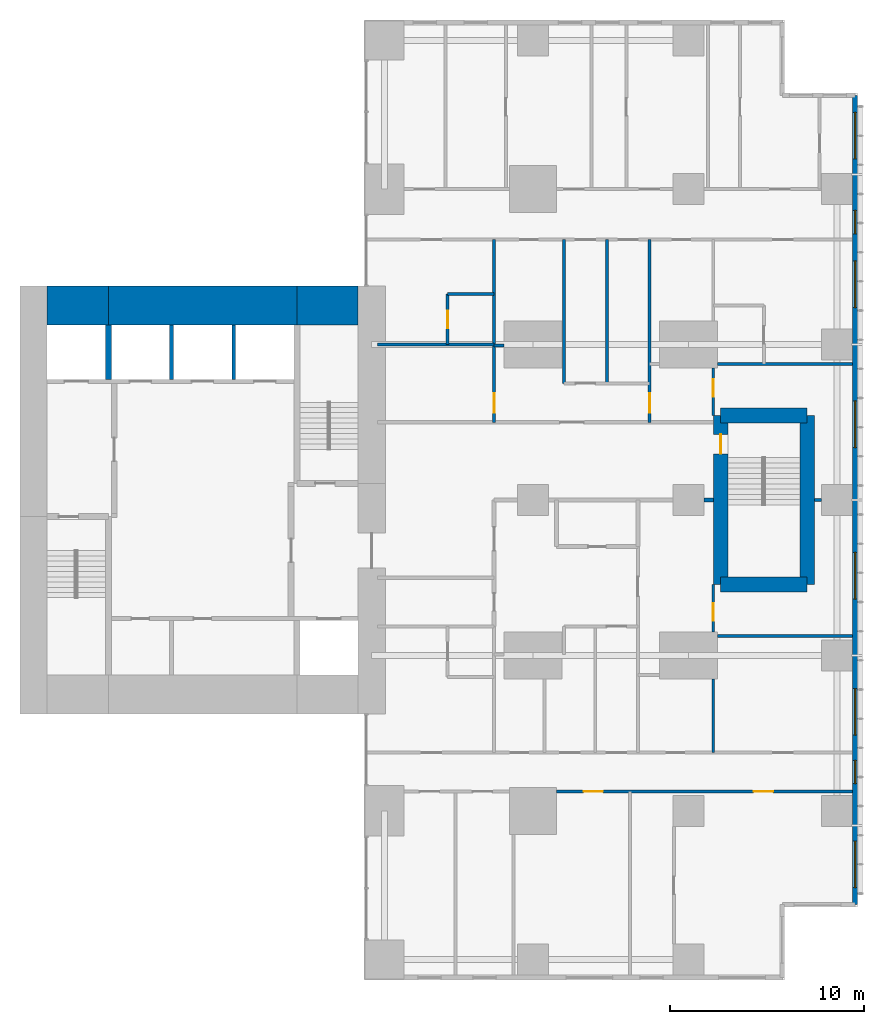
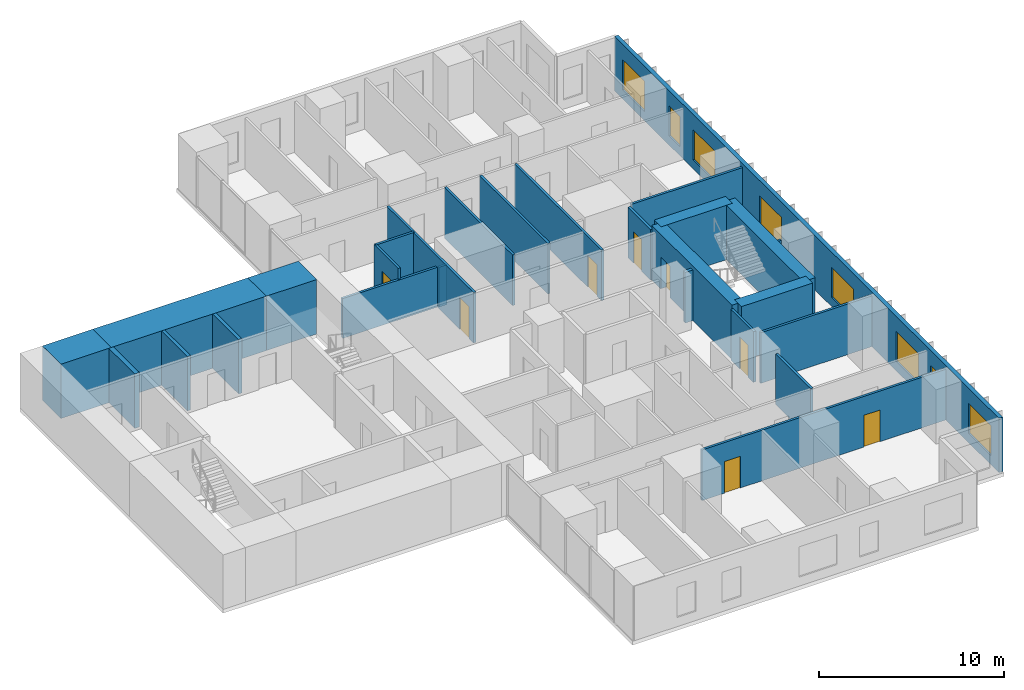
# One storey, part 9 of 12: 27 walls, 8 doors, 8 windows, 16 openings.
"""IFC4 building model written with IfcOpenShell, lengths in metres."""

from ifc_helpers import new_model, si_unit, direction, frame, frame_2d, origin, place, context, subcontext, project, spatial, rectangle, extrude, material, layer, layer_set, type_object, element, fill, save


model = new_model("IFC4")

# Units and contexts
model_context = context("Model", 3, precision=1e-05, world=origin(), true_north=direction((0.0, 1.0)))
body_context = subcontext(model_context, "Body", "Model", "MODEL_VIEW")
ifc_project = project(units=[si_unit("LENGTHUNIT", "METRE"), si_unit("AREAUNIT", "SQUARE_METRE"), si_unit("VOLUMEUNIT", "CUBIC_METRE"), si_unit("PLANEANGLEUNIT", "RADIAN"), si_unit("MASSUNIT", "GRAM", prefix="KILO")], contexts=[model_context])

# Site, building, storey
site_placement = place(None, origin())
site = spatial("IfcSite", under=ifc_project, at=site_placement, CompositionType="ELEMENT")
building_placement = place(site_placement, origin())
building = spatial("IfcBuilding", under=site, at=building_placement, Name="Cleftline Residences", CompositionType="ELEMENT")
storey_placement = place(building_placement, frame((0.0, 0.0, 237.60009765625)))
storey = spatial("IfcBuildingStorey", under=building, at=storey_placement, Name="L62", CompositionType="ELEMENT", Elevation=237.60009765625)

# Walls
ifc_material_1 = material(Name="Concrete B70", Category="concrete")
ifc_layer_1 = layer(ifc_material_1, 2.0)
ifc_layer_set_1 = layer_set([ifc_layer_1], Name="CORE WALL 2000")
wall_type_1 = type_object("IfcWallType", Name="CORE WALL 2000", PredefinedType="SHEAR", material=ifc_layer_set_1)
wall_1_placement = place(storey_placement, frame((25.0, 34.0, 0.0), z_axis=(0.0, 0.0, 1.0), x_axis=(1.0, 0.0, 0.0)))
element("IfcWall", 1, at=wall_1_placement, inside=storey, type_object=wall_type_1, Name="Core wall N1", PredefinedType="SHEAR", context=body_context, shape_type="SweptSolid", body=[
    extrude(rectangle(XDim=3.14990234375, YDim=2.0, at=frame_2d((1.574951171875, 0.0))), origin(), (0.0, 0.0, 1.0), 3.599853515625),
])
wall_2_placement = place(storey_placement, frame((28.14990234375, 34.0, 0.0), z_axis=(0.0, 0.0, 1.0), x_axis=(1.0, 0.0, 0.0)))
element("IfcWall", 2, at=wall_2_placement, inside=storey, type_object=wall_type_1, Name="Core wall N2", PredefinedType="SHEAR", context=body_context, shape_type="SweptSolid", body=[
    extrude(rectangle(XDim=9.7001953125, YDim=2.0, at=frame_2d((4.85009765625, 0.0))), origin(), (0.0, 0.0, 1.0), 3.599853515625),
])
wall_3_placement = place(storey_placement, frame((37.85009765625, 34.0, 0.0), z_axis=(0.0, 0.0, 1.0), x_axis=(1.0, 0.0, 0.0)))
element("IfcWall", 3, at=wall_3_placement, inside=storey, type_object=wall_type_1, Name="Core wall N3", PredefinedType="SHEAR", context=body_context, shape_type="SweptSolid", body=[
    extrude(rectangle(XDim=3.14990234375, YDim=2.0, at=frame_2d((1.574951171875, 0.0))), origin(), (0.0, 0.0, 1.0), 3.599853515625),
])
ifc_material_2 = material(Name="Concrete B70", Category="concrete")
ifc_layer_2 = layer(ifc_material_2, 0.300048828125)
ifc_layer_set_2 = layer_set([ifc_layer_2], Name="CORE WALL 300")
wall_type_2 = type_object("IfcWallType", Name="CORE WALL 300", PredefinedType="SHEAR", material=ifc_layer_set_2)
wall_4_placement = place(storey_placement, frame((28.14990234375, 30.199951171875, 0.0), z_axis=(0.0, 0.0, 1.0), x_axis=(0.0, 1.0, 0.0)))
element("IfcWall", 4, at=wall_4_placement, inside=storey, type_object=wall_type_2, Name="Lift shaft wall", PredefinedType="SHEAR", context=body_context, shape_type="SweptSolid", body=[
    extrude(rectangle(XDim=2.800048828125, YDim=0.300048828125, at=frame_2d((1.39990234375, 0.0))), origin(), (0.0, 0.0, 1.0), 3.599853515625),
])

# Wall, openings, windows
ifc_material_3 = material(Name="Rendered reinforced concrete blockwork", Category="masonry")
ifc_layer_3 = layer(ifc_material_3, 0.25)
ifc_layer_set_3 = layer_set([ifc_layer_3], Name="EXTERNAL WALL 250")
wall_type_3 = type_object("IfcWallType", Name="EXTERNAL WALL 250", PredefinedType="SOLIDWALL", material=ifc_layer_set_3)
wall_5_placement = place(storey_placement, frame((66.574951171875, 3.175048828125, 0.0), z_axis=(0.0, 0.0, 1.0), x_axis=(0.0, 1.0, 0.0)))
wall_5 = element("IfcWall", 5, at=wall_5_placement, inside=storey, type_object=wall_type_3, Name="External wall", PredefinedType="SOLIDWALL", context=body_context, shape_type="SweptSolid", body=[
    extrude(rectangle(XDim=41.64990234375, YDim=0.25, at=frame_2d((20.824951171875, 0.0))), origin(), (0.0, 0.0, 1.0), 3.599853515625),
])
opening_1_placement = place(wall_5_placement, frame((0.875, 0.0, 0.60009765625)))
opening_1 = element("IfcOpeningElement", 6, at=opening_1_placement, cuts=wall_5, Name="Opening W6", PredefinedType="OPENING", context=body_context, shape_type="SweptSolid", body=[
    extrude(rectangle(XDim=2.39990234375, YDim=2.0, at=frame_2d((1.199951171875, 1.0))), frame((0.0, 0.135009765625, 0.0), z_axis=(0.0, -1.0, 0.0), x_axis=(1.0, 0.0, 0.0)), (0.0, 0.0, 1.0), 0.27001953125),
])
opening_2_placement = place(wall_5_placement, frame((6.22509765625, 0.0, 0.60009765625)))
opening_2 = element("IfcOpeningElement", 7, at=opening_2_placement, cuts=wall_5, Name="Opening W8", PredefinedType="OPENING", context=body_context, shape_type="SweptSolid", body=[
    extrude(rectangle(XDim=1.199951171875, YDim=2.0, at=frame_2d((0.60009765625, 1.0))), frame((0.0, 0.135009765625, 0.0), z_axis=(0.0, -1.0, 0.0), x_axis=(1.0, 0.0, 0.0)), (0.0, 0.0, 1.0), 0.27001953125),
])
opening_3_placement = place(wall_5_placement, frame((8.72509765625, 0.0, 0.60009765625)))
opening_3 = element("IfcOpeningElement", 8, at=opening_3_placement, cuts=wall_5, Name="Opening W6", PredefinedType="OPENING", context=body_context, shape_type="SweptSolid", body=[
    extrude(rectangle(XDim=2.39990234375, YDim=2.0, at=frame_2d((1.199951171875, 1.0))), frame((0.0, 0.135009765625, 0.0), z_axis=(0.0, -1.0, 0.0), x_axis=(1.0, 0.0, 0.0)), (0.0, 0.0, 1.0), 0.27001953125),
])
opening_4_placement = place(wall_5_placement, frame((15.72509765625, 0.0, 0.60009765625)))
opening_4 = element("IfcOpeningElement", 9, at=opening_4_placement, cuts=wall_5, Name="Opening W6", PredefinedType="OPENING", context=body_context, shape_type="SweptSolid", body=[
    extrude(rectangle(XDim=2.39990234375, YDim=2.0, at=frame_2d((1.199951171875, 1.0))), frame((0.0, 0.135009765625, 0.0), z_axis=(0.0, -1.0, 0.0), x_axis=(1.0, 0.0, 0.0)), (0.0, 0.0, 1.0), 0.27001953125),
])
opening_5_placement = place(wall_5_placement, frame((23.52490234375, 0.0, 0.60009765625)))
opening_5 = element("IfcOpeningElement", 10, at=opening_5_placement, cuts=wall_5, Name="Opening W6", PredefinedType="OPENING", context=body_context, shape_type="SweptSolid", body=[
    extrude(rectangle(XDim=2.39990234375, YDim=2.0, at=frame_2d((1.199951171875, 1.0))), frame((0.0, 0.135009765625, 0.0), z_axis=(0.0, -1.0, 0.0), x_axis=(1.0, 0.0, 0.0)), (0.0, 0.0, 1.0), 0.27001953125),
])
opening_6_placement = place(wall_5_placement, frame((30.72509765625, 0.0, 0.60009765625)))
opening_6 = element("IfcOpeningElement", 11, at=opening_6_placement, cuts=wall_5, Name="Opening W6", PredefinedType="OPENING", context=body_context, shape_type="SweptSolid", body=[
    extrude(rectangle(XDim=2.39990234375, YDim=2.0, at=frame_2d((1.199951171875, 1.0))), frame((0.0, 0.135009765625, 0.0), z_axis=(0.0, -1.0, 0.0), x_axis=(1.0, 0.0, 0.0)), (0.0, 0.0, 1.0), 0.27001953125),
])
opening_7_placement = place(wall_5_placement, frame((34.52490234375, 0.0, 0.60009765625)))
opening_7 = element("IfcOpeningElement", 12, at=opening_7_placement, cuts=wall_5, Name="Opening W8", PredefinedType="OPENING", context=body_context, shape_type="SweptSolid", body=[
    extrude(rectangle(XDim=1.199951171875, YDim=2.0, at=frame_2d((0.60009765625, 1.0))), frame((0.0, 0.135009765625, 0.0), z_axis=(0.0, -1.0, 0.0), x_axis=(1.0, 0.0, 0.0)), (0.0, 0.0, 1.0), 0.27001953125),
])
opening_8_placement = place(wall_5_placement, frame((38.375, 0.0, 0.60009765625)))
opening_8 = element("IfcOpeningElement", 13, at=opening_8_placement, cuts=wall_5, Name="Opening W6", PredefinedType="OPENING", context=body_context, shape_type="SweptSolid", body=[
    extrude(rectangle(XDim=2.39990234375, YDim=2.0, at=frame_2d((1.199951171875, 1.0))), frame((0.0, 0.135009765625, 0.0), z_axis=(0.0, -1.0, 0.0), x_axis=(1.0, 0.0, 0.0)), (0.0, 0.0, 1.0), 0.27001953125),
])
ifc_material_4 = material(Name="Aluminium frame, clear double glazing", Category="aluminium")
window_type_1 = type_object("IfcWindowType", Name="WINDOW 1200X2000", PartitioningType="DOUBLE_PANEL_VERTICAL", PredefinedType="WINDOW", material=ifc_material_4)
window_1_placement = place(opening_2_placement, origin())
window_1 = element("IfcWindow", 14, at=window_1_placement, inside=storey, type_object=window_type_1, Name="Window", OverallHeight=2.0, OverallWidth=1.199951171875, PartitioningType="SINGLE_PANEL", PredefinedType="WINDOW", context=body_context, shape_type="SweptSolid", body=[
    extrude(rectangle(XDim=1.199951171875, YDim=2.0, at=frame_2d((0.60009765625, 1.0))), frame((0.0, 0.030029296875, 0.0), z_axis=(0.0, -1.0, 0.0), x_axis=(1.0, 0.0, 0.0)), (0.0, 0.0, 1.0), 0.06005859375),
])
fill(opening_2, window_1)
window_2_placement = place(opening_7_placement, origin())
window_2 = element("IfcWindow", 15, at=window_2_placement, inside=storey, type_object=window_type_1, Name="Window", OverallHeight=2.0, OverallWidth=1.199951171875, PartitioningType="SINGLE_PANEL", PredefinedType="WINDOW", context=body_context, shape_type="SweptSolid", body=[
    extrude(rectangle(XDim=1.199951171875, YDim=2.0, at=frame_2d((0.60009765625, 1.0))), frame((0.0, 0.030029296875, 0.0), z_axis=(0.0, -1.0, 0.0), x_axis=(1.0, 0.0, 0.0)), (0.0, 0.0, 1.0), 0.06005859375),
])
fill(opening_7, window_2)
ifc_material_5 = material(Name="Aluminium frame, clear double glazing", Category="aluminium")
window_type_2 = type_object("IfcWindowType", Name="WINDOW 2400X2000", PartitioningType="DOUBLE_PANEL_VERTICAL", PredefinedType="WINDOW", material=ifc_material_5)
window_3_placement = place(opening_1_placement, origin())
window_3 = element("IfcWindow", 16, at=window_3_placement, inside=storey, type_object=window_type_2, Name="Window", OverallHeight=2.0, OverallWidth=2.39990234375, PartitioningType="SINGLE_PANEL", PredefinedType="WINDOW", context=body_context, shape_type="SweptSolid", body=[
    extrude(rectangle(XDim=2.39990234375, YDim=2.0, at=frame_2d((1.199951171875, 1.0))), frame((0.0, 0.030029296875, 0.0), z_axis=(0.0, -1.0, 0.0), x_axis=(1.0, 0.0, 0.0)), (0.0, 0.0, 1.0), 0.06005859375),
])
fill(opening_1, window_3)
window_4_placement = place(opening_3_placement, origin())
window_4 = element("IfcWindow", 17, at=window_4_placement, inside=storey, type_object=window_type_2, Name="Window", OverallHeight=2.0, OverallWidth=2.39990234375, PartitioningType="SINGLE_PANEL", PredefinedType="WINDOW", context=body_context, shape_type="SweptSolid", body=[
    extrude(rectangle(XDim=2.39990234375, YDim=2.0, at=frame_2d((1.199951171875, 1.0))), frame((0.0, 0.030029296875, 0.0), z_axis=(0.0, -1.0, 0.0), x_axis=(1.0, 0.0, 0.0)), (0.0, 0.0, 1.0), 0.06005859375),
])
fill(opening_3, window_4)
window_5_placement = place(opening_4_placement, origin())
window_5 = element("IfcWindow", 18, at=window_5_placement, inside=storey, type_object=window_type_2, Name="Window", OverallHeight=2.0, OverallWidth=2.39990234375, PartitioningType="SINGLE_PANEL", PredefinedType="WINDOW", context=body_context, shape_type="SweptSolid", body=[
    extrude(rectangle(XDim=2.39990234375, YDim=2.0, at=frame_2d((1.199951171875, 1.0))), frame((0.0, 0.030029296875, 0.0), z_axis=(0.0, -1.0, 0.0), x_axis=(1.0, 0.0, 0.0)), (0.0, 0.0, 1.0), 0.06005859375),
])
fill(opening_4, window_5)
window_6_placement = place(opening_5_placement, origin())
window_6 = element("IfcWindow", 19, at=window_6_placement, inside=storey, type_object=window_type_2, Name="Window", OverallHeight=2.0, OverallWidth=2.39990234375, PartitioningType="SINGLE_PANEL", PredefinedType="WINDOW", context=body_context, shape_type="SweptSolid", body=[
    extrude(rectangle(XDim=2.39990234375, YDim=2.0, at=frame_2d((1.199951171875, 1.0))), frame((0.0, 0.030029296875, 0.0), z_axis=(0.0, -1.0, 0.0), x_axis=(1.0, 0.0, 0.0)), (0.0, 0.0, 1.0), 0.06005859375),
])
fill(opening_5, window_6)
window_7_placement = place(opening_6_placement, origin())
window_7 = element("IfcWindow", 20, at=window_7_placement, inside=storey, type_object=window_type_2, Name="Window", OverallHeight=2.0, OverallWidth=2.39990234375, PartitioningType="SINGLE_PANEL", PredefinedType="WINDOW", context=body_context, shape_type="SweptSolid", body=[
    extrude(rectangle(XDim=2.39990234375, YDim=2.0, at=frame_2d((1.199951171875, 1.0))), frame((0.0, 0.030029296875, 0.0), z_axis=(0.0, -1.0, 0.0), x_axis=(1.0, 0.0, 0.0)), (0.0, 0.0, 1.0), 0.06005859375),
])
fill(opening_6, window_7)
window_8_placement = place(opening_8_placement, origin())
window_8 = element("IfcWindow", 21, at=window_8_placement, inside=storey, type_object=window_type_2, Name="Window", OverallHeight=2.0, OverallWidth=2.39990234375, PartitioningType="SINGLE_PANEL", PredefinedType="WINDOW", context=body_context, shape_type="SweptSolid", body=[
    extrude(rectangle(XDim=2.39990234375, YDim=2.0, at=frame_2d((1.199951171875, 1.0))), frame((0.0, 0.030029296875, 0.0), z_axis=(0.0, -1.0, 0.0), x_axis=(1.0, 0.0, 0.0)), (0.0, 0.0, 1.0), 0.06005859375),
])
fill(opening_8, window_8)

# Wall
ifc_material_6 = material(Name="Concrete blockwork, fire rated", Category="masonry")
ifc_layer_4 = layer(ifc_material_6, 0.199951171875)
ifc_layer_set_4 = layer_set([ifc_layer_4], Name="FIRE WALL 200")
wall_type_4 = type_object("IfcWallType", Name="FIRE WALL 200", PredefinedType="PARTITIONING", material=ifc_layer_set_4)
wall_6_placement = place(storey_placement, frame((58.800048828125, 24.0, 0.0), z_axis=(0.0, 0.0, 1.0), x_axis=(1.0, 0.0, 0.0)))
element("IfcWall", 22, at=wall_6_placement, inside=storey, type_object=wall_type_4, Name="Fire separating wall", PredefinedType="PARTITIONING", context=body_context, shape_type="SweptSolid", body=[
    extrude(rectangle(XDim=0.474853515625, YDim=0.199951171875, at=frame_2d((0.2373046875, 0.0))), origin(), (0.0, 0.0, 1.0), 3.349853515625),
])

# Wall, openings, doors
ifc_material_7 = material(Name="Gypsum board on steel studs", Category="steel")
ifc_layer_5 = layer(ifc_material_7, 0.14990234375)
ifc_layer_set_5 = layer_set([ifc_layer_5], Name="PARTITION 150")
wall_type_5 = type_object("IfcWallType", Name="PARTITION 150", PredefinedType="PARTITIONING", material=ifc_layer_set_5)
wall_7_placement = place(storey_placement, frame((51.199951171875, 9.0, 0.0), z_axis=(0.0, 0.0, 1.0), x_axis=(1.0, 0.0, 0.0)))
wall_7 = element("IfcWall", 23, at=wall_7_placement, inside=storey, type_object=wall_type_5, Name="Partition", PredefinedType="PARTITIONING", context=body_context, shape_type="SweptSolid", body=[
    extrude(rectangle(XDim=15.25, YDim=0.14990234375, at=frame_2d((7.625, 0.0))), origin(), (0.0, 0.0, 1.0), 3.349853515625),
])
opening_9_placement = place(wall_7_placement, frame((10.14990234375, 0.0, 0.0)))
opening_9 = element("IfcOpeningElement", 24, at=opening_9_placement, cuts=wall_7, Name="Opening D2", PredefinedType="OPENING", context=body_context, shape_type="SweptSolid", body=[
    extrude(rectangle(XDim=1.0, YDim=2.10009765625, at=frame_2d((0.5, 1.050048828125))), frame((0.0, 0.0849609375, 0.0), z_axis=(0.0, -1.0, 0.0), x_axis=(1.0, 0.0, 0.0)), (0.0, 0.0, 1.0), 0.169921875),
])
opening_10_placement = place(wall_7_placement, frame((1.39990234375, 0.0, 0.0)))
opening_10 = element("IfcOpeningElement", 25, at=opening_10_placement, cuts=wall_7, Name="Opening D2", PredefinedType="OPENING", context=body_context, shape_type="SweptSolid", body=[
    extrude(rectangle(XDim=1.0, YDim=2.10009765625, at=frame_2d((0.5, 1.050048828125))), frame((0.0, 0.0849609375, 0.0), z_axis=(0.0, -1.0, 0.0), x_axis=(1.0, 0.0, 0.0)), (0.0, 0.0, 1.0), 0.169921875),
])
ifc_material_8 = material(Name="Timber veneer on solid core", Category="wood")
door_type_1 = type_object("IfcDoorType", Name="DOOR 1000X2100", OperationType="SINGLE_SWING_LEFT", PredefinedType="DOOR", material=ifc_material_8)
door_1_placement = place(opening_9_placement, origin())
door_1 = element("IfcDoor", 26, at=door_1_placement, inside=storey, type_object=door_type_1, Name="Door to sea-view living room", OperationType="SINGLE_SWING_LEFT", OverallHeight=2.10009765625, OverallWidth=1.0, PredefinedType="DOOR", context=body_context, shape_type="SweptSolid", body=[
    extrude(rectangle(XDim=1.0, YDim=2.10009765625, at=frame_2d((0.5, 1.050048828125))), frame((0.0, 0.02490234375, 0.0), z_axis=(0.0, -1.0, 0.0), x_axis=(1.0, 0.0, 0.0)), (0.0, 0.0, 1.0), 0.050048828125),
])
fill(opening_9, door_1)
door_2_placement = place(opening_10_placement, origin())
door_2 = element("IfcDoor", 27, at=door_2_placement, inside=storey, type_object=door_type_1, Name="Door to dining room", OperationType="SINGLE_SWING_RIGHT", OverallHeight=2.10009765625, OverallWidth=1.0, PredefinedType="DOOR", context=body_context, shape_type="SweptSolid", body=[
    extrude(rectangle(XDim=1.0, YDim=2.10009765625, at=frame_2d((0.5, 1.050048828125))), frame((0.0, 0.02490234375, 0.0), z_axis=(0.0, -1.0, 0.0), x_axis=(1.0, 0.0, 0.0)), (0.0, 0.0, 1.0), 0.050048828125),
])
fill(opening_10, door_2)

# Walls
wall_8_placement = place(storey_placement, frame((59.5, 17.0, 0.0), z_axis=(0.0, 0.0, 1.0), x_axis=(1.0, 0.0, 0.0)))
element("IfcWall", 28, at=wall_8_placement, inside=storey, type_object=wall_type_5, Name="Partition", PredefinedType="PARTITIONING", context=body_context, shape_type="SweptSolid", body=[
    extrude(rectangle(XDim=6.949951171875, YDim=0.14990234375, at=frame_2d((3.47509765625, 0.0))), origin(), (0.0, 0.0, 1.0), 3.349853515625),
])
wall_9_placement = place(storey_placement, frame((64.47509765625, 24.0, 0.0), z_axis=(0.0, 0.0, 1.0), x_axis=(1.0, 0.0, 0.0)))
element("IfcWall", 29, at=wall_9_placement, inside=storey, type_object=wall_type_5, Name="Partition", PredefinedType="PARTITIONING", context=body_context, shape_type="SweptSolid", body=[
    extrude(rectangle(XDim=0.375, YDim=0.14990234375, at=frame_2d((0.1875, 0.0))), origin(), (0.0, 0.0, 1.0), 3.349853515625),
])
wall_10_placement = place(storey_placement, frame((59.5, 31.0, 0.0), z_axis=(0.0, 0.0, 1.0), x_axis=(1.0, 0.0, 0.0)))
element("IfcWall", 30, at=wall_10_placement, inside=storey, type_object=wall_type_5, Name="Partition", PredefinedType="PARTITIONING", context=body_context, shape_type="SweptSolid", body=[
    extrude(rectangle(XDim=6.949951171875, YDim=0.14990234375, at=frame_2d((3.47509765625, 0.0))), origin(), (0.0, 0.0, 1.0), 3.349853515625),
])
wall_11_placement = place(storey_placement, frame((48.0, 31.949951171875, 0.0), z_axis=(0.0, 0.0, 1.0), x_axis=(1.0, 0.0, 0.0)))
element("IfcWall", 31, at=wall_11_placement, inside=storey, type_object=wall_type_5, Name="Partition", PredefinedType="PARTITIONING", context=body_context, shape_type="SweptSolid", body=[
    extrude(rectangle(XDim=0.5, YDim=0.14990234375, at=frame_2d((0.25, 0.0))), origin(), (0.0, 0.0, 1.0), 2.6337890625),
])
wall_12_placement = place(storey_placement, frame((42.0, 32.0, 0.0), z_axis=(0.0, 0.0, 1.0), x_axis=(1.0, 0.0, 0.0)))
element("IfcWall", 32, at=wall_12_placement, inside=storey, type_object=wall_type_5, Name="Partition", PredefinedType="PARTITIONING", context=body_context, shape_type="SweptSolid", body=[
    extrude(rectangle(XDim=6.0, YDim=0.14990234375, at=frame_2d((3.0, 0.0))), origin(), (0.0, 0.0, 1.0), 2.6337890625),
])
wall_13_placement = place(storey_placement, frame((45.60009765625, 34.60009765625, 0.0), z_axis=(0.0, 0.0, 1.0), x_axis=(1.0, 0.0, 0.0)))
element("IfcWall", 33, at=wall_13_placement, inside=storey, type_object=wall_type_5, Name="Partition", PredefinedType="PARTITIONING", context=body_context, shape_type="SweptSolid", body=[
    extrude(rectangle(XDim=2.39990234375, YDim=0.14990234375, at=frame_2d((1.199951171875, 0.0))), origin(), (0.0, 0.0, 1.0), 3.349853515625),
])

# Wall, opening, door
wall_14_placement = place(storey_placement, frame((45.60009765625, 32.0, 0.0), z_axis=(0.0, 0.0, 1.0), x_axis=(0.0, 1.0, 0.0)))
wall_14 = element("IfcWall", 34, at=wall_14_placement, inside=storey, type_object=wall_type_5, Name="Partition", PredefinedType="PARTITIONING", context=body_context, shape_type="SweptSolid", body=[
    extrude(rectangle(XDim=2.60009765625, YDim=0.14990234375, at=frame_2d((1.300048828125, 0.0))), origin(), (0.0, 0.0, 1.0), 3.349853515625),
])
opening_11_placement = place(wall_14_placement, frame((0.85009765625, 0.0, 0.0)))
opening_11 = element("IfcOpeningElement", 35, at=opening_11_placement, cuts=wall_14, Name="Opening D1", PredefinedType="OPENING", context=body_context, shape_type="SweptSolid", body=[
    extrude(rectangle(XDim=0.89990234375, YDim=2.10009765625, at=frame_2d((0.449951171875, 1.050048828125))), frame((0.0, 0.0849609375, 0.0), z_axis=(0.0, -1.0, 0.0), x_axis=(1.0, 0.0, 0.0)), (0.0, 0.0, 1.0), 0.169921875),
])
ifc_material_9 = material(Name="Timber veneer on solid core", Category="wood")
door_type_2 = type_object("IfcDoorType", Name="DOOR 900X2100", OperationType="SINGLE_SWING_LEFT", PredefinedType="DOOR", material=ifc_material_9)
door_3_placement = place(opening_11_placement, origin())
door_3 = element("IfcDoor", 36, at=door_3_placement, inside=storey, type_object=door_type_2, Name="Door to en-suite bathroom 5", OperationType="SINGLE_SWING_LEFT", OverallHeight=2.10009765625, OverallWidth=0.89990234375, PredefinedType="DOOR", context=body_context, shape_type="SweptSolid", body=[
    extrude(rectangle(XDim=0.89990234375, YDim=2.10009765625, at=frame_2d((0.449951171875, 1.050048828125))), frame((0.0, 0.02490234375, 0.0), z_axis=(0.0, -1.0, 0.0), x_axis=(1.0, 0.0, 0.0)), (0.0, 0.0, 1.0), 0.050048828125),
])
fill(opening_11, door_3)

wall_15_placement = place(storey_placement, frame((48.0, 28.0, 0.0), z_axis=(0.0, 0.0, 1.0), x_axis=(0.0, 1.0, 0.0)))
wall_15 = element("IfcWall", 37, at=wall_15_placement, inside=storey, type_object=wall_type_5, Name="Partition", PredefinedType="PARTITIONING", context=body_context, shape_type="SweptSolid", body=[
    extrude(rectangle(XDim=9.39990234375, YDim=0.14990234375, at=frame_2d((4.699951171875, 0.0))), origin(), (0.0, 0.0, 1.0), 3.349853515625),
])
opening_12_placement = place(wall_15_placement, frame((0.5, 0.0, 0.0)))
opening_12 = element("IfcOpeningElement", 38, at=opening_12_placement, cuts=wall_15, Name="Opening D2", PredefinedType="OPENING", context=body_context, shape_type="SweptSolid", body=[
    extrude(rectangle(XDim=1.0, YDim=2.10009765625, at=frame_2d((0.5, 1.050048828125))), frame((0.0, 0.0849609375, 0.0), z_axis=(0.0, -1.0, 0.0), x_axis=(1.0, 0.0, 0.0)), (0.0, 0.0, 1.0), 0.169921875),
])
door_4_placement = place(opening_12_placement, origin())
door_4 = element("IfcDoor", 39, at=door_4_placement, inside=storey, type_object=door_type_1, Name="Door to morning kitchen", OperationType="SINGLE_SWING_RIGHT", OverallHeight=2.10009765625, OverallWidth=1.0, PredefinedType="DOOR", context=body_context, shape_type="SweptSolid", body=[
    extrude(rectangle(XDim=1.0, YDim=2.10009765625, at=frame_2d((0.5, 1.050048828125))), frame((0.0, 0.02490234375, 0.0), z_axis=(0.0, -1.0, 0.0), x_axis=(1.0, 0.0, 0.0)), (0.0, 0.0, 1.0), 0.050048828125),
])
fill(opening_12, door_4)

# Walls
for number, where, z_axis, x_axis, name in (
    (40, (51.60009765625, 30.0, 0.0), (0.0, 0.0, 1.0), (0.0, 1.0, 0.0), "Partition"),
    (41, (53.800048828125, 30.0, 0.0), (0.0, 0.0, 1.0), (0.0, 1.0, 0.0), "Partition"),
):
    element("IfcWall", number, at=place(storey_placement, frame(where, z_axis=z_axis, x_axis=x_axis)), inside=storey, type_object=wall_type_5, Name=name, PredefinedType="PARTITIONING", context=body_context, shape_type="SweptSolid", body=[
        extrude(rectangle(XDim=7.39990234375, YDim=0.14990234375, at=frame_2d((3.699951171875, 0.0))), origin(), (0.0, 0.0, 1.0), 3.349853515625),
    ])

# Wall, opening, door
wall_16_placement = place(storey_placement, frame((56.0, 28.0, 0.0), z_axis=(0.0, 0.0, 1.0), x_axis=(0.0, 1.0, 0.0)))
wall_16 = element("IfcWall", 42, at=wall_16_placement, inside=storey, type_object=wall_type_5, Name="Partition", PredefinedType="PARTITIONING", context=body_context, shape_type="SweptSolid", body=[
    extrude(rectangle(XDim=9.39990234375, YDim=0.14990234375, at=frame_2d((4.699951171875, 0.0))), origin(), (0.0, 0.0, 1.0), 3.349853515625),
])
opening_13_placement = place(wall_16_placement, frame((0.5, 0.0, 0.0)))
opening_13 = element("IfcOpeningElement", 43, at=opening_13_placement, cuts=wall_16, Name="Opening D2F30", PredefinedType="OPENING", context=body_context, shape_type="SweptSolid", body=[
    extrude(rectangle(XDim=1.0, YDim=2.10009765625, at=frame_2d((0.5, 1.050048828125))), frame((0.0, 0.0849609375, 0.0), z_axis=(0.0, -1.0, 0.0), x_axis=(1.0, 0.0, 0.0)), (0.0, 0.0, 1.0), 0.169921875),
])
ifc_material_10 = material(Name="Timber veneer on solid core", Category="wood")
door_type_3 = type_object("IfcDoorType", Name="DOOR 1000X2100 EI 30", OperationType="SINGLE_SWING_LEFT", PredefinedType="DOOR", material=ifc_material_10)
door_5_placement = place(opening_13_placement, origin())
door_5 = element("IfcDoor", 44, at=door_5_placement, inside=storey, type_object=door_type_3, Name="Door to residence lobby (service)", OperationType="SINGLE_SWING_RIGHT", OverallHeight=2.10009765625, OverallWidth=1.0, PredefinedType="DOOR", context=body_context, shape_type="SweptSolid", body=[
    extrude(rectangle(XDim=1.0, YDim=2.10009765625, at=frame_2d((0.5, 1.050048828125))), frame((0.0, 0.02490234375, 0.0), z_axis=(0.0, -1.0, 0.0), x_axis=(1.0, 0.0, 0.0)), (0.0, 0.0, 1.0), 0.050048828125),
])
fill(opening_13, door_5)

# Wall
wall_17_placement = place(storey_placement, frame((59.27490234375, 11.0, 0.0), z_axis=(0.0, 0.0, 1.0), x_axis=(0.0, 1.0, 0.0)))
element("IfcWall", 45, at=wall_17_placement, inside=storey, type_object=wall_type_5, Name="Partition", PredefinedType="PARTITIONING", context=body_context, shape_type="SweptSolid", body=[
    extrude(rectangle(XDim=3.800048828125, YDim=0.14990234375, at=frame_2d((1.89990234375, 0.0))), origin(), (0.0, 0.0, 1.0), 3.349853515625),
])

# Wall, opening, door
wall_18_placement = place(storey_placement, frame((59.27490234375, 17.199951171875, 0.0), z_axis=(0.0, 0.0, 1.0), x_axis=(0.0, 1.0, 0.0)))
wall_18 = element("IfcWall", 46, at=wall_18_placement, inside=storey, type_object=wall_type_5, Name="Partition", PredefinedType="PARTITIONING", context=body_context, shape_type="SweptSolid", body=[
    extrude(rectangle(XDim=2.449951171875, YDim=0.14990234375, at=frame_2d((1.22509765625, 0.0))), origin(), (0.0, 0.0, 1.0), 3.349853515625),
])
opening_14_placement = place(wall_18_placement, frame((0.58740234375, 0.0, 0.0)))
opening_14 = element("IfcOpeningElement", 47, at=opening_14_placement, cuts=wall_18, Name="Opening D1", PredefinedType="OPENING", context=body_context, shape_type="SweptSolid", body=[
    extrude(rectangle(XDim=0.89990234375, YDim=2.10009765625, at=frame_2d((0.449951171875, 1.050048828125))), frame((0.0, 0.0849609375, 0.0), z_axis=(0.0, -1.0, 0.0), x_axis=(1.0, 0.0, 0.0)), (0.0, 0.0, 1.0), 0.169921875),
])
door_6_placement = place(opening_14_placement, origin())
door_6 = element("IfcDoor", 48, at=door_6_placement, inside=storey, type_object=door_type_2, Name="Door to drying loggia", OperationType="SINGLE_SWING_RIGHT", OverallHeight=2.10009765625, OverallWidth=0.89990234375, PredefinedType="DOOR", context=body_context, shape_type="SweptSolid", body=[
    extrude(rectangle(XDim=0.89990234375, YDim=2.10009765625, at=frame_2d((0.449951171875, 1.050048828125))), frame((0.0, 0.02490234375, 0.0), z_axis=(0.0, -1.0, 0.0), x_axis=(1.0, 0.0, 0.0)), (0.0, 0.0, 1.0), 0.050048828125),
])
fill(opening_14, door_6)

wall_19_placement = place(storey_placement, frame((59.27490234375, 28.35009765625, 0.0), z_axis=(0.0, 0.0, 1.0), x_axis=(0.0, 1.0, 0.0)))
wall_19 = element("IfcWall", 49, at=wall_19_placement, inside=storey, type_object=wall_type_5, Name="Partition", PredefinedType="PARTITIONING", context=body_context, shape_type="SweptSolid", body=[
    extrude(rectangle(XDim=2.449951171875, YDim=0.14990234375, at=frame_2d((1.22509765625, 0.0))), origin(), (0.0, 0.0, 1.0), 3.349853515625),
])
opening_15_placement = place(wall_19_placement, frame((0.96240234375, 0.0, 0.0)))
opening_15 = element("IfcOpeningElement", 50, at=opening_15_placement, cuts=wall_19, Name="Opening D1", PredefinedType="OPENING", context=body_context, shape_type="SweptSolid", body=[
    extrude(rectangle(XDim=0.89990234375, YDim=2.10009765625, at=frame_2d((0.449951171875, 1.050048828125))), frame((0.0, 0.0849609375, 0.0), z_axis=(0.0, -1.0, 0.0), x_axis=(1.0, 0.0, 0.0)), (0.0, 0.0, 1.0), 0.169921875),
])
door_7_placement = place(opening_15_placement, origin())
door_7 = element("IfcDoor", 51, at=door_7_placement, inside=storey, type_object=door_type_2, Name="Door to master dressing room", OperationType="SINGLE_SWING_LEFT", OverallHeight=2.10009765625, OverallWidth=0.89990234375, PredefinedType="DOOR", context=body_context, shape_type="SweptSolid", body=[
    extrude(rectangle(XDim=0.89990234375, YDim=2.10009765625, at=frame_2d((0.449951171875, 1.050048828125))), frame((0.0, 0.02490234375, 0.0), z_axis=(0.0, -1.0, 0.0), x_axis=(1.0, 0.0, 0.0)), (0.0, 0.0, 1.0), 0.050048828125),
])
fill(opening_15, door_7)

# Walls
ifc_material_11 = material(Name="Concrete blockwork, fire rated", Category="masonry")
ifc_layer_6 = layer(ifc_material_11, 0.199951171875)
ifc_layer_set_6 = layer_set([ifc_layer_6], Name="SHAFT WALL 200")
wall_type_6 = type_object("IfcWallType", Name="SHAFT WALL 200", PredefinedType="PARTITIONING", material=ifc_layer_set_6)
for number, where, z_axis, x_axis, name in (
    (52, (31.39990234375, 30.199951171875, 0.0), (0.0, 0.0, 1.0), (0.0, 1.0, 0.0), "Lift shaft wall"),
    (53, (34.60009765625, 30.199951171875, 0.0), (0.0, 0.0, 1.0), (0.0, 1.0, 0.0), "Lift shaft wall"),
):
    element("IfcWall", number, at=place(storey_placement, frame(where, z_axis=z_axis, x_axis=x_axis)), inside=storey, type_object=wall_type_6, Name=name, PredefinedType="PARTITIONING", context=body_context, shape_type="SweptSolid", body=[
        extrude(rectangle(XDim=2.800048828125, YDim=0.199951171875, at=frame_2d((1.39990234375, 0.0))), origin(), (0.0, 0.0, 1.0), 3.599853515625),
    ])
ifc_material_12 = material(Name="Concrete B70", Category="concrete")
ifc_layer_7 = layer(ifc_material_12, 0.75)
ifc_layer_set_7 = layer_set([ifc_layer_7], Name="SHEAR WALL 750")
wall_type_7 = type_object("IfcWallType", Name="SHEAR WALL 750", PredefinedType="SHEAR", material=ifc_layer_set_7)
wall_20_placement = place(storey_placement, frame((59.64990234375, 19.64990234375, 0.0), z_axis=(0.0, 0.0, 1.0), x_axis=(1.0, 0.0, 0.0)))
element("IfcWall", 54, at=wall_20_placement, inside=storey, type_object=wall_type_7, Name="Wing shear wall", PredefinedType="SHEAR", context=body_context, shape_type="SweptSolid", body=[
    extrude(rectangle(XDim=4.4501953125, YDim=0.75, at=frame_2d((2.22509765625, 0.0))), origin(), (0.0, 0.0, 1.0), 3.599853515625),
])
wall_21_placement = place(storey_placement, frame((64.10009765625, 19.64990234375, 0.0), z_axis=(0.0, 0.0, 1.0), x_axis=(0.0, 1.0, 0.0)))
element("IfcWall", 55, at=wall_21_placement, inside=storey, type_object=wall_type_7, Name="Wing shear wall", PredefinedType="SHEAR", context=body_context, shape_type="SweptSolid", body=[
    extrude(rectangle(XDim=8.7001953125, YDim=0.75, at=frame_2d((4.35009765625, 0.0))), origin(), (0.0, 0.0, 1.0), 3.599853515625),
])
wall_22_placement = place(storey_placement, frame((64.10009765625, 28.35009765625, 0.0), z_axis=(0.0, 0.0, 1.0), x_axis=(-1.0, 0.0, 0.0)))
element("IfcWall", 56, at=wall_22_placement, inside=storey, type_object=wall_type_7, Name="Wing shear wall", PredefinedType="SHEAR", context=body_context, shape_type="SweptSolid", body=[
    extrude(rectangle(XDim=4.4501953125, YDim=0.75, at=frame_2d((2.22509765625, 0.0))), origin(), (0.0, 0.0, 1.0), 3.599853515625),
])

# Wall, opening, door
wall_23_placement = place(storey_placement, frame((59.64990234375, 28.35009765625, 0.0), z_axis=(0.0, 0.0, 1.0), x_axis=(0.0, -1.0, 0.0)))
wall_23 = element("IfcWall", 57, at=wall_23_placement, inside=storey, type_object=wall_type_7, Name="Wing shear wall", PredefinedType="SHEAR", context=body_context, shape_type="SweptSolid", body=[
    extrude(rectangle(XDim=8.7001953125, YDim=0.75, at=frame_2d((4.35009765625, 0.0))), origin(), (0.0, 0.0, 1.0), 3.599853515625),
])
opening_16_placement = place(wall_23_placement, frame((0.97509765625, 0.0, 0.0)))
opening_16 = element("IfcOpeningElement", 58, at=opening_16_placement, cuts=wall_23, Name="Opening D5", PredefinedType="OPENING", context=body_context, shape_type="SweptSolid", body=[
    extrude(rectangle(XDim=1.0, YDim=2.10009765625, at=frame_2d((0.5, 1.050048828125))), frame((0.0, 0.385009765625, 0.0), z_axis=(0.0, -1.0, 0.0), x_axis=(1.0, 0.0, 0.0)), (0.0, 0.0, 1.0), 0.77001953125),
])
ifc_material_13 = material(Name="Steel", Category="steel")
door_type_4 = type_object("IfcDoorType", Name="STAIR DOOR 1000X2100", OperationType="SINGLE_SWING_LEFT", PredefinedType="DOOR", material=ifc_material_13)
door_8_placement = place(opening_16_placement, origin())
door_8 = element("IfcDoor", 59, at=door_8_placement, inside=storey, type_object=door_type_4, Name="Stair E door", OperationType="SINGLE_SWING_RIGHT", OverallHeight=2.10009765625, OverallWidth=1.0, PredefinedType="DOOR", context=body_context, shape_type="SweptSolid", body=[
    extrude(rectangle(XDim=1.0, YDim=2.10009765625, at=frame_2d((0.5, 1.050048828125))), frame((0.0, 0.02490234375, 0.0), z_axis=(0.0, -1.0, 0.0), x_axis=(1.0, 0.0, 0.0)), (0.0, 0.0, 1.0), 0.050048828125),
])
fill(opening_16, door_8)

save(model, "model.ifc")
